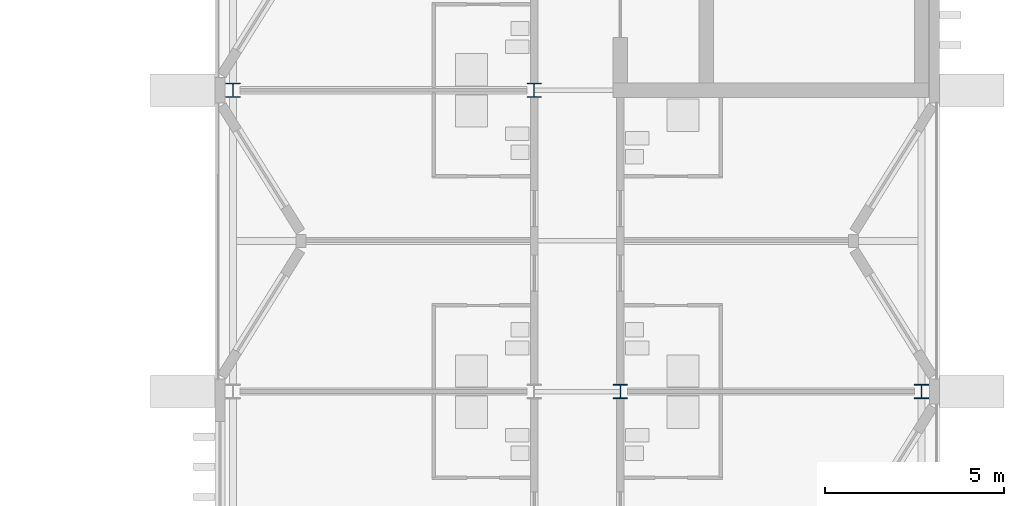
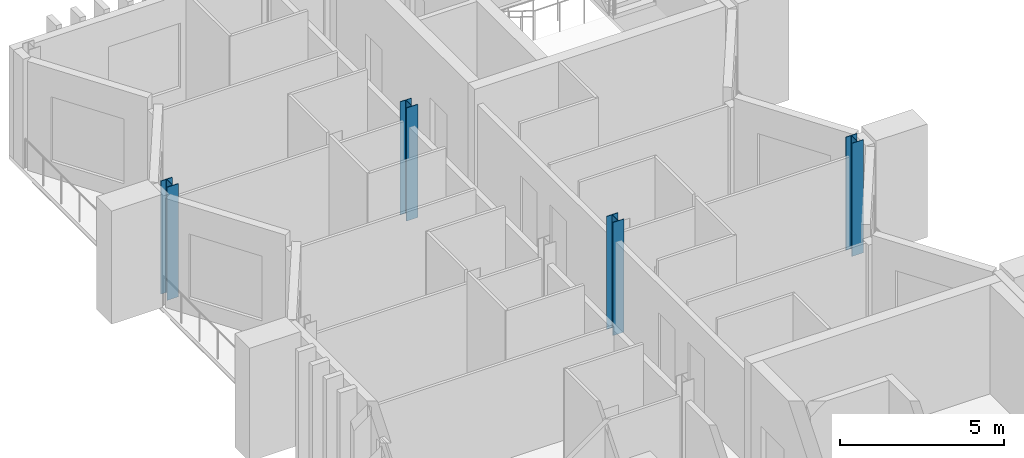
# One storey, part 4 of 18: 4 columns.
"""IFC4 building model written with IfcOpenShell, lengths in metres."""

from ifc_helpers import new_model, si_unit, direction, frame, origin, origin_2d, place, context, subcontext, project, spatial, i_section, extrude, material, material_profile, profile_set, type_object, element, save


model = new_model("IFC4")

# Units and contexts
model_context = context("Model", 3, precision=1e-05, world=origin(), true_north=direction((0.0, 1.0)))
body_context = subcontext(model_context, "Body", "Model", "MODEL_VIEW")
ifc_project = project(units=[si_unit("LENGTHUNIT", "METRE"), si_unit("AREAUNIT", "SQUARE_METRE"), si_unit("VOLUMEUNIT", "CUBIC_METRE"), si_unit("PLANEANGLEUNIT", "RADIAN"), si_unit("MASSUNIT", "GRAM", prefix="KILO")], contexts=[model_context])

# Site, building, storey
site_placement = place(None, origin())
site = spatial("IfcSite", under=ifc_project, at=site_placement, CompositionType="ELEMENT")
building_placement = place(site_placement, origin())
building = spatial("IfcBuilding", under=site, at=building_placement, Name="Cresset Court Congress Hotel", CompositionType="ELEMENT")
storey_placement = place(building_placement, frame((0.0, 0.0, 35.39990234375)))
storey = spatial("IfcBuildingStorey", under=building, at=storey_placement, Name="L08", CompositionType="ELEMENT", Elevation=35.39990234375)

# Columns
ifc_material = material(Name="Structural steel Q355B", Category="steel")
ifc_material_profile = material_profile(ifc_material, i_section(OverallWidth=0.39990234375, OverallDepth=0.39990234375, WebThickness=0.012939453125, FlangeThickness=0.02099609375, FilletRadius=0.02197265625, at=origin_2d()), Name="HW400x400x13x21")
ifc_profile_set = profile_set([ifc_material_profile], Name="Structural steel Q355B")
column_type = type_object("IfcColumnType", Name="Steel column HW400x400x13x21", PredefinedType="COLUMN", material=ifc_profile_set)
for number, where, z_axis, x_axis, name in (
    (1, (157.199951171875, 58.800048828125, 0.0), (0.0, 0.0, 1.0), (1.0, 0.0, 0.0), "Column L08 8-20"),
    (2, (165.60009765625, 58.800048828125, 0.0), (0.0, 0.0, 1.0), (1.0, 0.0, 0.0), "Column L08 8-21"),
    (3, (168.0, 50.39990234375, 0.0), (0.0, 0.0, 1.0), (1.0, 0.0, 0.0), "Column L08 7-22"),
    (4, (176.39990234375, 50.39990234375, 0.0), (0.0, 0.0, 1.0), (1.0, 0.0, 0.0), "Column L08 7-23"),
):
    element("IfcColumn", number, at=place(storey_placement, frame(where, z_axis=z_axis, x_axis=x_axis)), inside=storey, type_object=column_type, Name=name, PredefinedType="COLUMN", context=body_context, shape_type="SweptSolid", body=[
        extrude(i_section(OverallWidth=0.39990234375, OverallDepth=0.39990234375, WebThickness=0.012939453125, FlangeThickness=0.02099609375, FilletRadius=0.02197265625, at=origin_2d()), origin(), (0.0, 0.0, 1.0), 4.2001953125),
    ])

save(model, "model.ifc")
